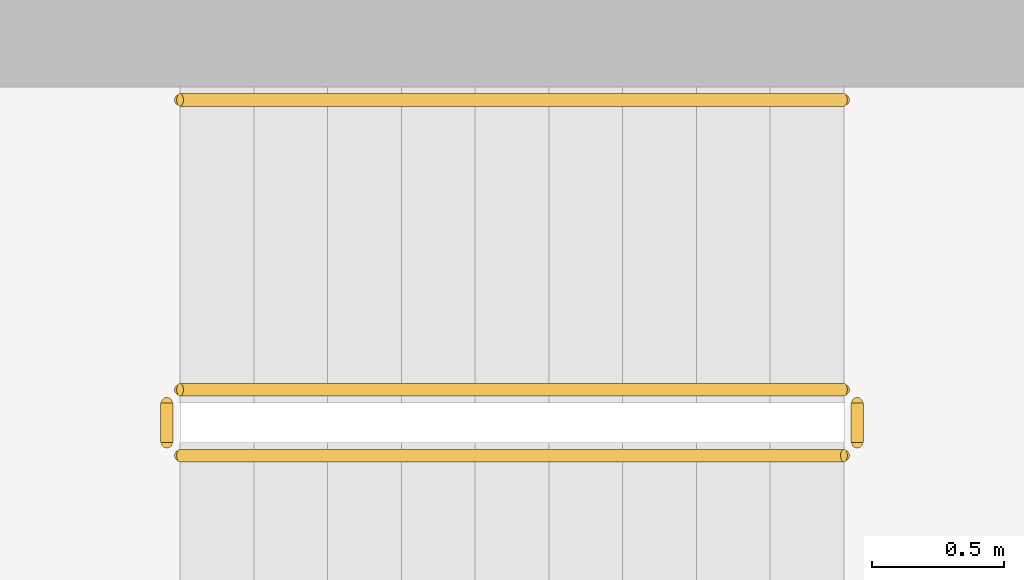
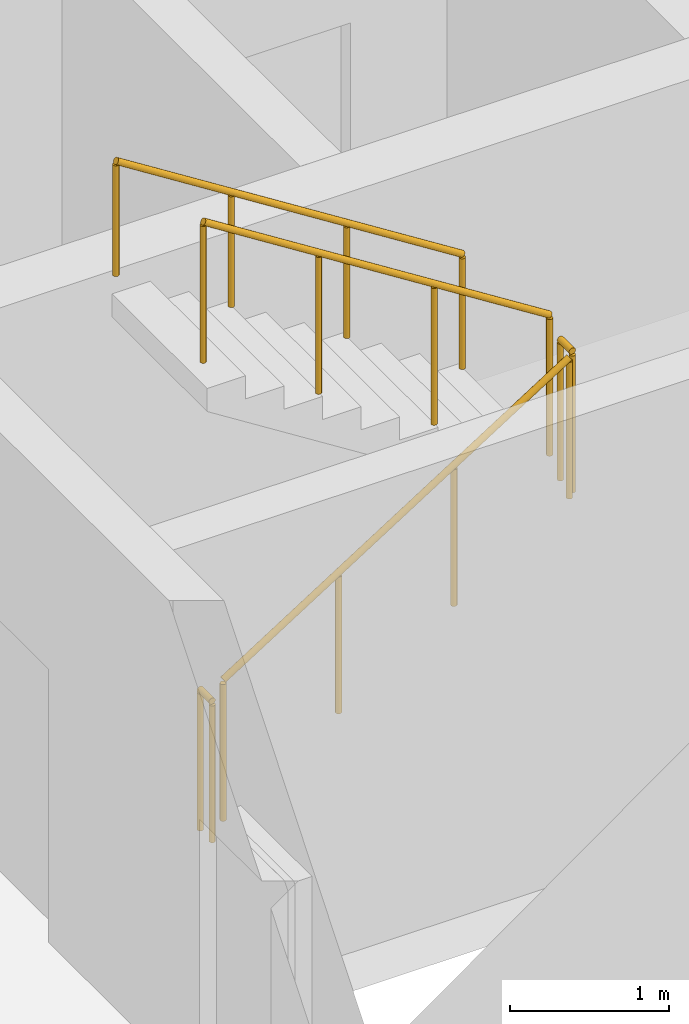
# One storey, part 15 of 17: 5 railings.
"""IFC4 building model written with IfcOpenShell, lengths in metres."""

from ifc_helpers import new_model, si_unit, direction, frame, origin, origin_2d, place, context, subcontext, project, spatial, circle, extrude, material, type_object, element, save


model = new_model("IFC4")

# Units and contexts
model_context = context("Model", 3, precision=1e-05, world=origin(), true_north=direction((0.0, 1.0)))
body_context = subcontext(model_context, "Body", "Model", "MODEL_VIEW")
ifc_project = project(units=[si_unit("LENGTHUNIT", "METRE"), si_unit("AREAUNIT", "SQUARE_METRE"), si_unit("VOLUMEUNIT", "CUBIC_METRE"), si_unit("PLANEANGLEUNIT", "RADIAN"), si_unit("MASSUNIT", "GRAM", prefix="KILO")], contexts=[model_context])

# Site, building, storey
site_placement = place(None, origin())
site = spatial("IfcSite", under=ifc_project, at=site_placement, CompositionType="ELEMENT")
building_placement = place(site_placement, origin())
building = spatial("IfcBuilding", under=site, at=building_placement, Name="Ostrand Prow Hotel Tower", CompositionType="ELEMENT")
storey_placement = place(building_placement, frame((0.0, 0.0, 182.60009765625)))
storey = spatial("IfcBuildingStorey", under=building, at=storey_placement, Name="L45", CompositionType="ELEMENT", Elevation=182.60009765625)

# Railings
ifc_material_1 = material(Name="Painted steel", Category="steel")
railing_type_1 = type_object("IfcRailingType", Name="Stair guard 1100", PredefinedType="GUARDRAIL", material=ifc_material_1)
railing_1_placement = place(storey_placement, frame((57.199951171875, -11.75, 0.177490234375)))
element("IfcRailing", 1, at=railing_1_placement, inside=storey, type_object=railing_type_1, Name="L45 ST2C stair guard 1", PredefinedType="GUARDRAIL", context=body_context, shape_type="SweptSolid", body=[
    extrude(circle(Radius=0.02392578125, at=origin_2d()), frame((0.0, 0.0, 1.076171875), z_axis=(0.84460694969, 0.0, 0.535386869969), x_axis=(0.0, 1.0, 0.0)), (0.0, 0.0, 1.0), 2.983642578125),
    extrude(circle(Radius=0.02099609375, at=origin_2d()), origin(), (0.0, 0.0, 1.0), 1.052001953125),
    extrude(circle(Radius=0.02099609375, at=origin_2d()), frame((0.840087890625, 0.0, 0.532470703125)), (0.0, 0.0, 1.0), 1.052001953125),
    extrude(circle(Radius=0.02099609375, at=origin_2d()), frame((1.679931640625, 0.0, 1.06494140625)), (0.0, 0.0, 1.0), 1.052001953125),
    extrude(circle(Radius=0.02099609375, at=origin_2d()), frame((2.52001953125, 0.0, 1.597412109375)), (0.0, 0.0, 1.0), 1.052001953125),
])
railing_2_placement = place(storey_placement, frame((59.77001953125, -11.699951171875, 1.77490234375)))
element("IfcRailing", 2, at=railing_2_placement, inside=storey, type_object=railing_type_1, Name="L45 ST2C stair guard 2", PredefinedType="GUARDRAIL", context=body_context, shape_type="SweptSolid", body=[
    extrude(circle(Radius=0.02392578125, at=origin_2d()), frame((0.0, 0.0, 1.076171875), z_axis=(0.0, 1.0, 0.0), x_axis=(-1.0, 0.0, 0.0)), (0.0, 0.0, 1.0), 0.14990234375),
    extrude(circle(Radius=0.02099609375, at=origin_2d()), origin(), (0.0, 0.0, 1.0), 1.052001953125),
    extrude(circle(Radius=0.02099609375, at=origin_2d()), frame((0.0, 0.14990234375, 0.0)), (0.0, 0.0, 1.0), 1.052001953125),
])
railing_3_placement = place(storey_placement, frame((59.719970703125, -11.5, 1.952392578125)))
element("IfcRailing", 3, at=railing_3_placement, inside=storey, type_object=railing_type_1, Name="L45 ST2C stair guard 3", PredefinedType="GUARDRAIL", context=body_context, shape_type="SweptSolid", body=[
    extrude(circle(Radius=0.02392578125, at=origin_2d()), frame((0.0, 0.0, 1.076171875), z_axis=(-0.84460694969, 0.0, 0.535386869969), x_axis=(0.0, -1.0, 0.0)), (0.0, 0.0, 1.0), 2.983642578125),
    extrude(circle(Radius=0.02099609375, at=origin_2d()), origin(), (0.0, 0.0, 1.0), 1.052001953125),
    extrude(circle(Radius=0.02099609375, at=origin_2d()), frame((-0.840087890625, 0.0, 0.532470703125)), (0.0, 0.0, 1.0), 1.052001953125),
    extrude(circle(Radius=0.02099609375, at=origin_2d()), frame((-1.679931640625, 0.0, 1.06494140625)), (0.0, 0.0, 1.0), 1.052001953125),
    extrude(circle(Radius=0.02099609375, at=origin_2d()), frame((-2.52001953125, 0.0, 1.597412109375)), (0.0, 0.0, 1.0), 1.052001953125),
])
railing_4_placement = place(storey_placement, frame((57.14990234375, -11.699951171875, 0.0)))
element("IfcRailing", 4, at=railing_4_placement, inside=storey, type_object=railing_type_1, Name="L45 ST2C stair guard 4", PredefinedType="GUARDRAIL", context=body_context, shape_type="SweptSolid", body=[
    extrude(circle(Radius=0.02392578125, at=origin_2d()), frame((0.0, 0.0, 1.076171875), z_axis=(0.0, 1.0, 0.0), x_axis=(-1.0, 0.0, 0.0)), (0.0, 0.0, 1.0), 0.14990234375),
    extrude(circle(Radius=0.02099609375, at=origin_2d()), origin(), (0.0, 0.0, 1.0), 1.052001953125),
    extrude(circle(Radius=0.02099609375, at=origin_2d()), frame((0.0, 0.14990234375, 0.0)), (0.0, 0.0, 1.0), 1.052001953125),
])
ifc_material_2 = material(Name="Stainless steel", Category="steel")
railing_type_2 = type_object("IfcRailingType", Name="Stair handrail 900", PredefinedType="HANDRAIL", material=ifc_material_2)
railing_5_placement = place(storey_placement, frame((59.719970703125, -10.39990234375, 1.952392578125)))
element("IfcRailing", 5, at=railing_5_placement, inside=storey, type_object=railing_type_2, Name="L45 ST2C stair handrail 2", PredefinedType="HANDRAIL", context=body_context, shape_type="SweptSolid", body=[
    extrude(circle(Radius=0.02392578125, at=origin_2d()), frame((0.0, 0.0, 0.8759765625), z_axis=(-0.84460694969, 0.0, 0.535386869969), x_axis=(0.0, -1.0, 0.0)), (0.0, 0.0, 1.0), 2.983642578125),
    extrude(circle(Radius=0.02099609375, at=origin_2d()), origin(), (0.0, 0.0, 1.0), 0.851806640625),
    extrude(circle(Radius=0.02099609375, at=origin_2d()), frame((-0.840087890625, 0.0, 0.532470703125)), (0.0, 0.0, 1.0), 0.851806640625),
    extrude(circle(Radius=0.02099609375, at=origin_2d()), frame((-1.679931640625, 0.0, 1.06494140625)), (0.0, 0.0, 1.0), 0.851806640625),
    extrude(circle(Radius=0.02099609375, at=origin_2d()), frame((-2.52001953125, 0.0, 1.597412109375)), (0.0, 0.0, 1.0), 0.851806640625),
])

save(model, "model.ifc")
